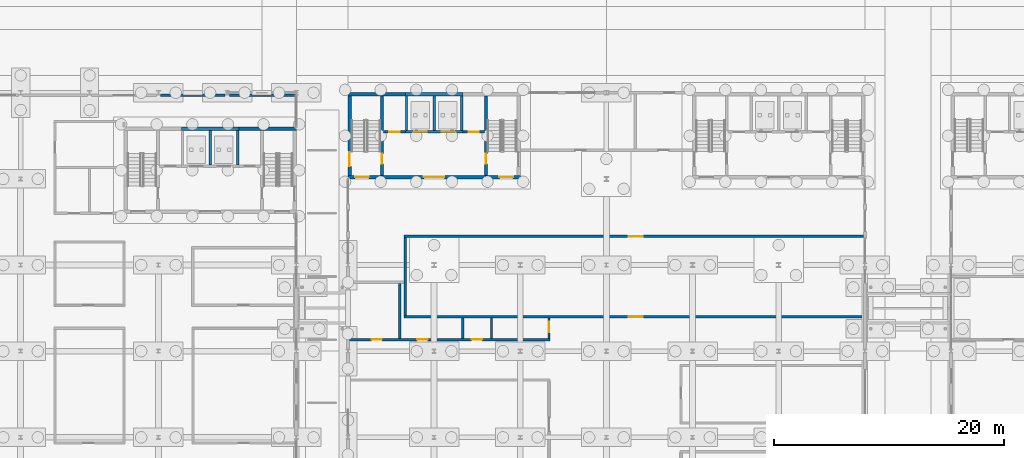
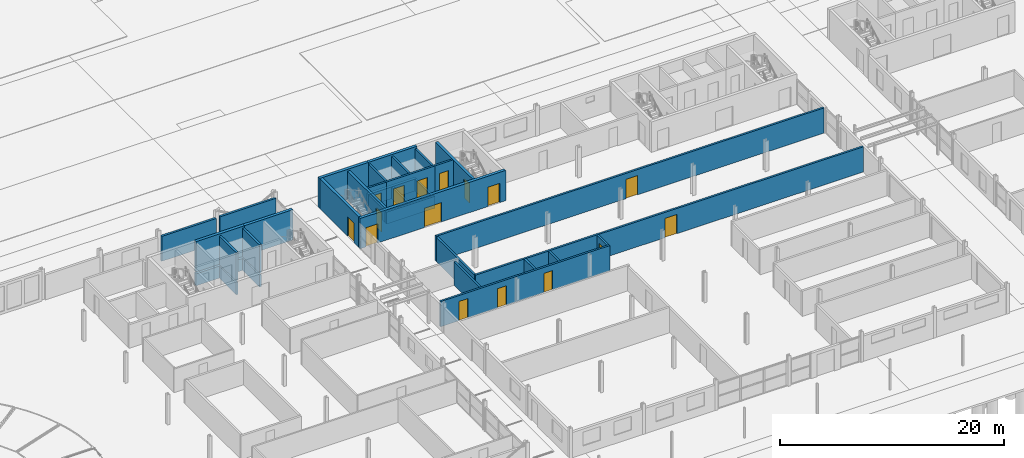
# One storey, part 82 of 130: 34 walls, 16 doors, 16 openings.
"""IFC4 building model written with IfcOpenShell, lengths in metres."""

from ifc_helpers import new_model, si_unit, direction, frame, frame_2d, origin, place, context, subcontext, project, spatial, rectangle, extrude, material, layer, layer_set, type_object, element, fill, save


model = new_model("IFC4")

# Units and contexts
model_context = context("Model", 3, precision=1e-05, world=origin(), true_north=direction((0.0, 1.0)))
body_context = subcontext(model_context, "Body", "Model", "MODEL_VIEW")
ifc_project = project(units=[si_unit("LENGTHUNIT", "METRE"), si_unit("AREAUNIT", "SQUARE_METRE"), si_unit("VOLUMEUNIT", "CUBIC_METRE"), si_unit("PLANEANGLEUNIT", "RADIAN"), si_unit("MASSUNIT", "GRAM", prefix="KILO")], contexts=[model_context])

# Site, building, storey
site_placement = place(None, origin())
site = spatial("IfcSite", under=ifc_project, at=site_placement, CompositionType="ELEMENT")
building_placement = place(site_placement, origin())
building = spatial("IfcBuilding", under=site, at=building_placement, Name="Parallax Yard Mobility Hub", CompositionType="ELEMENT")
storey_placement = place(building_placement, origin())
storey = spatial("IfcBuildingStorey", under=building, at=storey_placement, Name="L00", CompositionType="ELEMENT", Elevation=0.0)

# Wall, openings, doors
ifc_material_1 = material(Name="Concrete fc' 35 MPa", Category="concrete")
ifc_layer_1 = layer(ifc_material_1, 0.300048828125)
ifc_layer_set_1 = layer_set([ifc_layer_1], Name="Concrete fc' 35 MPa core wall 300")
wall_type_1 = type_object("IfcWallType", Name="Concrete fc' 35 MPa core wall 300", PredefinedType="SHEAR", material=ifc_layer_set_1)
wall_1_placement = place(storey_placement, frame((112.5, 45.14990234375, 0.0), z_axis=(0.0, 0.0, 1.0), x_axis=(-1.0, 0.0, 0.0)))
wall_1 = element("IfcWall", 1, at=wall_1_placement, inside=storey, type_object=wall_type_1, Name="Core C6-W entry wall level L00", PredefinedType="SHEAR", context=body_context, shape_type="SweptSolid", body=[
    extrude(rectangle(XDim=15.0, YDim=0.300048828125, at=frame_2d((7.5, 0.0))), origin(), (0.0, 0.0, 1.0), 3.300048828125),
])
opening_1_placement = place(wall_1_placement, frame((13.179931640625, 0.0, 0.0)))
opening_1 = element("IfcOpeningElement", 2, at=opening_1_placement, cuts=wall_1, Name="Opening L00-D743", PredefinedType="OPENING", context=body_context, shape_type="SweptSolid", body=[
    extrude(rectangle(XDim=1.199951171875, YDim=2.10009765625, at=frame_2d((0.60009765625, 1.050048828125))), frame((0.0, 0.16015625, 0.0), z_axis=(0.0, -1.0, 0.0), x_axis=(1.0, 0.0, 0.0)), (0.0, 0.0, 1.0), 0.320068359375),
])
opening_2_placement = place(wall_1_placement, frame((0.6201171875, 0.0, 0.0)))
opening_2 = element("IfcOpeningElement", 3, at=opening_2_placement, cuts=wall_1, Name="Opening L00-D744", PredefinedType="OPENING", context=body_context, shape_type="SweptSolid", body=[
    extrude(rectangle(XDim=1.199951171875, YDim=2.10009765625, at=frame_2d((0.60009765625, 1.050048828125))), frame((0.0, 0.16015625, 0.0), z_axis=(0.0, -1.0, 0.0), x_axis=(1.0, 0.0, 0.0)), (0.0, 0.0, 1.0), 0.320068359375),
])
opening_3_placement = place(wall_1_placement, frame((6.60009765625, 0.0, 0.0)))
opening_3 = element("IfcOpeningElement", 4, at=opening_3_placement, cuts=wall_1, Name="Opening L00-D745", PredefinedType="OPENING", context=body_context, shape_type="SweptSolid", body=[
    extrude(rectangle(XDim=1.800048828125, YDim=2.10009765625, at=frame_2d((0.89990234375, 1.050048828125))), frame((0.0, 0.16015625, 0.0), z_axis=(0.0, -1.0, 0.0), x_axis=(1.0, 0.0, 0.0)), (0.0, 0.0, 1.0), 0.320068359375),
])
ifc_material_2 = material(Name="Hollow metal steel door and frame", Category="steel")
door_type_1 = type_object("IfcDoorType", Name="Core door 1200 x 2100 FD90", OperationType="NOTDEFINED", PredefinedType="DOOR", material=ifc_material_2)
door_1_placement = place(opening_1_placement, origin())
door_1 = element("IfcDoor", 5, at=door_1_placement, inside=storey, type_object=door_type_1, Name="Stair deck door L00-D743, core C6-W level L00", OperationType="SINGLE_SWING_RIGHT", OverallHeight=2.10009765625, OverallWidth=1.199951171875, PredefinedType="DOOR", context=body_context, shape_type="SweptSolid", body=[
    extrude(rectangle(XDim=1.199951171875, YDim=2.10009765625, at=frame_2d((0.60009765625, 1.050048828125))), frame((0.0, 0.02490234375, 0.0), z_axis=(0.0, -1.0, 0.0), x_axis=(1.0, 0.0, 0.0)), (0.0, 0.0, 1.0), 0.050048828125),
])
fill(opening_1, door_1)
door_2_placement = place(opening_2_placement, origin())
door_2 = element("IfcDoor", 6, at=door_2_placement, inside=storey, type_object=door_type_1, Name="Stair deck door L00-D744, core C6-W level L00", OperationType="SINGLE_SWING_LEFT", OverallHeight=2.10009765625, OverallWidth=1.199951171875, PredefinedType="DOOR", context=body_context, shape_type="SweptSolid", body=[
    extrude(rectangle(XDim=1.199951171875, YDim=2.10009765625, at=frame_2d((0.60009765625, 1.050048828125))), frame((0.0, 0.02490234375, 0.0), z_axis=(0.0, -1.0, 0.0), x_axis=(1.0, 0.0, 0.0)), (0.0, 0.0, 1.0), 0.050048828125),
])
fill(opening_2, door_2)
door_type_2 = type_object("IfcDoorType", Name="Core double door 1800 x 2100 FD90", OperationType="NOTDEFINED", PredefinedType="DOOR", material=ifc_material_2)
door_3_placement = place(opening_3_placement, origin())
door_3 = element("IfcDoor", 7, at=door_3_placement, inside=storey, type_object=door_type_2, Name="Lift lobby door L00-D745, core C6-W level L00", OperationType="DOUBLE_DOOR_SINGLE_SWING", OverallHeight=2.10009765625, OverallWidth=1.800048828125, PredefinedType="DOOR", context=body_context, shape_type="SweptSolid", body=[
    extrude(rectangle(XDim=1.800048828125, YDim=2.10009765625, at=frame_2d((0.89990234375, 1.050048828125))), frame((0.0, 0.02490234375, 0.0), z_axis=(0.0, -1.0, 0.0), x_axis=(1.0, 0.0, 0.0)), (0.0, 0.0, 1.0), 0.050048828125),
])
fill(opening_3, door_3)

# Walls
for number, where, z_axis, x_axis, name in (
    (8, (97.5, 52.35009765625, 0.0), (0.0, 0.0, 1.0), (1.0, 0.0, 0.0), "Core C6-W back wall part 1 level L00"),
    (9, (102.5, 52.35009765625, 0.0), (0.0, 0.0, 1.0), (1.0, 0.0, 0.0), "Core C6-W back wall part 2 level L00"),
):
    element("IfcWall", number, at=place(storey_placement, frame(where, z_axis=z_axis, x_axis=x_axis)), inside=storey, type_object=wall_type_1, Name=name, PredefinedType="SHEAR", context=body_context, shape_type="SweptSolid", body=[
        extrude(rectangle(XDim=5.0, YDim=0.300048828125, at=frame_2d((2.5, 0.0))), origin(), (0.0, 0.0, 1.0), 3.300048828125),
    ])

# Wall, opening, door
wall_2_placement = place(storey_placement, frame((97.64990234375, 45.300048828125, 0.0), z_axis=(0.0, 0.0, 1.0), x_axis=(0.0, 1.0, 0.0)))
wall_2 = element("IfcWall", 10, at=wall_2_placement, inside=storey, type_object=wall_type_1, Name="Core C6-W west-side end wall level L00", PredefinedType="SHEAR", context=body_context, shape_type="SweptSolid", body=[
    extrude(rectangle(XDim=6.89990234375, YDim=0.300048828125, at=frame_2d((3.449951171875, 0.0))), origin(), (0.0, 0.0, 1.0), 3.300048828125),
])
opening_4_placement = place(wall_2_placement, frame((0.800048828125, 0.0, 0.0)))
opening_4 = element("IfcOpeningElement", 11, at=opening_4_placement, cuts=wall_2, Name="Opening L00-D752", PredefinedType="OPENING", context=body_context, shape_type="SweptSolid", body=[
    extrude(rectangle(XDim=1.199951171875, YDim=2.10009765625, at=frame_2d((0.60009765625, 1.050048828125))), frame((0.0, 0.16015625, 0.0), z_axis=(0.0, -1.0, 0.0), x_axis=(1.0, 0.0, 0.0)), (0.0, 0.0, 1.0), 0.320068359375),
])
door_4_placement = place(opening_4_placement, origin())
door_4 = element("IfcDoor", 12, at=door_4_placement, inside=storey, type_object=door_type_1, Name="Stair exit door L00-D752, core C6-W level L00", OperationType="SINGLE_SWING_RIGHT", OverallHeight=2.10009765625, OverallWidth=1.199951171875, PredefinedType="DOOR", context=body_context, shape_type="SweptSolid", body=[
    extrude(rectangle(XDim=1.199951171875, YDim=2.10009765625, at=frame_2d((0.60009765625, 1.050048828125))), frame((0.0, 0.02490234375, 0.0), z_axis=(0.0, -1.0, 0.0), x_axis=(1.0, 0.0, 0.0)), (0.0, 0.0, 1.0), 0.050048828125),
])
fill(opening_4, door_4)

# Walls
wall_3_placement = place(storey_placement, frame((102.5, 52.35009765625, -1.5), z_axis=(0.0, 0.0, 1.0), x_axis=(1.0, 0.0, 0.0)))
element("IfcWall", 13, at=wall_3_placement, inside=storey, type_object=wall_type_1, Name="Core C6-W lift pit wall back (shaft group 1)", PredefinedType="SHEAR", context=body_context, shape_type="SweptSolid", body=[
    extrude(rectangle(XDim=5.0, YDim=0.300048828125, at=frame_2d((2.5, 0.0))), origin(), (0.0, 0.0, 1.0), 1.300048828125),
])
for number, where, z_axis, x_axis, name in (
    (14, (83.0, 49.35009765625, 0.0), (0.0, 0.0, 1.0), (1.0, 0.0, 0.0), "Core C1 back wall part 2 level L00"),
    (15, (88.0, 49.35009765625, 0.0), (0.0, 0.0, 1.0), (1.0, 0.0, 0.0), "Core C1 back wall part 3 level L00"),
):
    element("IfcWall", number, at=place(storey_placement, frame(where, z_axis=z_axis, x_axis=x_axis)), inside=storey, type_object=wall_type_1, Name=name, PredefinedType="SHEAR", context=body_context, shape_type="SweptSolid", body=[
        extrude(rectangle(XDim=5.0, YDim=0.300048828125, at=frame_2d((2.5, 0.0))), origin(), (0.0, 0.0, 1.0), 3.300048828125),
    ])
wall_4_placement = place(storey_placement, frame((83.0, 49.35009765625, -1.5), z_axis=(0.0, 0.0, 1.0), x_axis=(1.0, 0.0, 0.0)))
element("IfcWall", 16, at=wall_4_placement, inside=storey, type_object=wall_type_1, Name="Core C1 lift pit wall back (shaft group 1)", PredefinedType="SHEAR", context=body_context, shape_type="SweptSolid", body=[
    extrude(rectangle(XDim=5.0, YDim=0.300048828125, at=frame_2d((2.5, 0.0))), origin(), (0.0, 0.0, 1.0), 1.300048828125),
])

# Wall, opening, door
ifc_layer_2 = layer(ifc_material_1, 0.199951171875)
ifc_layer_set_2 = layer_set([ifc_layer_2], Name="Concrete fc' 35 MPa internal core wall 200")
wall_type_2 = type_object("IfcWallType", Name="Concrete fc' 35 MPa internal core wall 200", PredefinedType="STANDARD", material=ifc_layer_set_2)
wall_5_placement = place(storey_placement, frame((102.5, 49.10009765625, 0.0), z_axis=(0.0, 0.0, 1.0), x_axis=(-1.0, 0.0, 0.0)))
wall_5 = element("IfcWall", 17, at=wall_5_placement, inside=storey, type_object=wall_type_2, Name="Core C6-W lift front 1 part 1 level L00", PredefinedType="STANDARD", context=body_context, shape_type="SweptSolid", body=[
    extrude(rectangle(XDim=1.89990234375, YDim=0.199951171875, at=frame_2d((0.949951171875, 0.0))), origin(), (0.0, 0.0, 1.0), 3.10009765625),
])
opening_5_placement = place(wall_5_placement, frame((0.5, 0.0, 0.0)))
opening_5 = element("IfcOpeningElement", 18, at=opening_5_placement, cuts=wall_5, Name="Opening L00-D750", PredefinedType="OPENING", context=body_context, shape_type="SweptSolid", body=[
    extrude(rectangle(XDim=0.89990234375, YDim=2.10009765625, at=frame_2d((0.449951171875, 1.050048828125))), frame((0.0, 0.10986328125, 0.0), z_axis=(0.0, -1.0, 0.0), x_axis=(1.0, 0.0, 0.0)), (0.0, 0.0, 1.0), 0.219970703125),
])
door_type_3 = type_object("IfcDoorType", Name="Riser door 900 x 2100 FD90", OperationType="NOTDEFINED", PredefinedType="DOOR", material=ifc_material_2)
door_5_placement = place(opening_5_placement, origin())
door_5 = element("IfcDoor", 19, at=door_5_placement, inside=storey, type_object=door_type_3, Name="Riser door L00-D750, core C6-W level L00", OperationType="SINGLE_SWING_RIGHT", OverallHeight=2.10009765625, OverallWidth=0.89990234375, PredefinedType="DOOR", context=body_context, shape_type="SweptSolid", body=[
    extrude(rectangle(XDim=0.89990234375, YDim=2.10009765625, at=frame_2d((0.449951171875, 1.050048828125))), frame((0.0, 0.02490234375, 0.0), z_axis=(0.0, -1.0, 0.0), x_axis=(1.0, 0.0, 0.0)), (0.0, 0.0, 1.0), 0.050048828125),
])
fill(opening_5, door_5)

# Wall, openings, doors
wall_6_placement = place(storey_placement, frame((102.5, 49.10009765625, 0.0), z_axis=(0.0, 0.0, 1.0), x_axis=(1.0, 0.0, 0.0)))
wall_6 = element("IfcWall", 20, at=wall_6_placement, inside=storey, type_object=wall_type_2, Name="Core C6-W lift front 2 part 2 level L00", PredefinedType="STANDARD", context=body_context, shape_type="SweptSolid", body=[
    extrude(rectangle(XDim=5.0, YDim=0.199951171875, at=frame_2d((2.5, 0.0))), origin(), (0.0, 0.0, 1.0), 3.10009765625),
])
opening_6_placement = place(wall_6_placement, frame((0.75, 0.0, 0.0)))
opening_6 = element("IfcOpeningElement", 21, at=opening_6_placement, cuts=wall_6, Name="Opening L00-D748", PredefinedType="OPENING", context=body_context, shape_type="SweptSolid", body=[
    extrude(rectangle(XDim=1.10009765625, YDim=2.10009765625, at=frame_2d((0.550048828125, 1.050048828125))), frame((0.0, 0.10986328125, 0.0), z_axis=(0.0, -1.0, 0.0), x_axis=(1.0, 0.0, 0.0)), (0.0, 0.0, 1.0), 0.219970703125),
])
opening_7_placement = place(wall_6_placement, frame((3.14990234375, 0.0, 0.0)))
opening_7 = element("IfcOpeningElement", 22, at=opening_7_placement, cuts=wall_6, Name="Opening L00-D749", PredefinedType="OPENING", context=body_context, shape_type="SweptSolid", body=[
    extrude(rectangle(XDim=1.10009765625, YDim=2.10009765625, at=frame_2d((0.550048828125, 1.050048828125))), frame((0.0, 0.10986328125, 0.0), z_axis=(0.0, -1.0, 0.0), x_axis=(1.0, 0.0, 0.0)), (0.0, 0.0, 1.0), 0.219970703125),
])
ifc_material_3 = material(Name="Stainless steel sliding door and frame", Category="steel")
door_type_4 = type_object("IfcDoorType", Name="Lift landing door 1100 x 2100 FD90", OperationType="DOUBLE_DOOR_SLIDING", PredefinedType="DOOR", material=ifc_material_3)
door_6_placement = place(opening_6_placement, origin())
door_6 = element("IfcDoor", 23, at=door_6_placement, inside=storey, type_object=door_type_4, Name="Lift landing door L00-D748, core C6-W level L00", OperationType="DOUBLE_DOOR_SLIDING", OverallHeight=2.10009765625, OverallWidth=1.10009765625, PredefinedType="DOOR", context=body_context, shape_type="SweptSolid", body=[
    extrude(rectangle(XDim=1.10009765625, YDim=2.10009765625, at=frame_2d((0.550048828125, 1.050048828125))), frame((0.0, 0.02490234375, 0.0), z_axis=(0.0, -1.0, 0.0), x_axis=(1.0, 0.0, 0.0)), (0.0, 0.0, 1.0), 0.050048828125),
])
fill(opening_6, door_6)
door_7_placement = place(opening_7_placement, origin())
door_7 = element("IfcDoor", 24, at=door_7_placement, inside=storey, type_object=door_type_4, Name="Lift landing door L00-D749, core C6-W level L00", OperationType="DOUBLE_DOOR_SLIDING", OverallHeight=2.10009765625, OverallWidth=1.10009765625, PredefinedType="DOOR", context=body_context, shape_type="SweptSolid", body=[
    extrude(rectangle(XDim=1.10009765625, YDim=2.10009765625, at=frame_2d((0.550048828125, 1.050048828125))), frame((0.0, 0.02490234375, 0.0), z_axis=(0.0, -1.0, 0.0), x_axis=(1.0, 0.0, 0.0)), (0.0, 0.0, 1.0), 0.050048828125),
])
fill(opening_7, door_7)

# Wall, opening, door
wall_7_placement = place(storey_placement, frame((109.39990234375, 49.10009765625, 0.0), z_axis=(0.0, 0.0, 1.0), x_axis=(-1.0, 0.0, 0.0)))
wall_7 = element("IfcWall", 25, at=wall_7_placement, inside=storey, type_object=wall_type_2, Name="Core C6-W lift front 3 part 3 level L00", PredefinedType="STANDARD", context=body_context, shape_type="SweptSolid", body=[
    extrude(rectangle(XDim=1.89990234375, YDim=0.199951171875, at=frame_2d((0.949951171875, 0.0))), origin(), (0.0, 0.0, 1.0), 3.10009765625),
])
opening_8_placement = place(wall_7_placement, frame((0.5, 0.0, 0.0)))
opening_8 = element("IfcOpeningElement", 26, at=opening_8_placement, cuts=wall_7, Name="Opening L00-D751", PredefinedType="OPENING", context=body_context, shape_type="SweptSolid", body=[
    extrude(rectangle(XDim=0.89990234375, YDim=2.10009765625, at=frame_2d((0.449951171875, 1.050048828125))), frame((0.0, 0.10986328125, 0.0), z_axis=(0.0, -1.0, 0.0), x_axis=(1.0, 0.0, 0.0)), (0.0, 0.0, 1.0), 0.219970703125),
])
door_8_placement = place(opening_8_placement, origin())
door_8 = element("IfcDoor", 27, at=door_8_placement, inside=storey, type_object=door_type_3, Name="Riser door L00-D751, core C6-W level L00", OperationType="SINGLE_SWING_LEFT", OverallHeight=2.10009765625, OverallWidth=0.89990234375, PredefinedType="DOOR", context=body_context, shape_type="SweptSolid", body=[
    extrude(rectangle(XDim=0.89990234375, YDim=2.10009765625, at=frame_2d((0.449951171875, 1.050048828125))), frame((0.0, 0.02490234375, 0.0), z_axis=(0.0, -1.0, 0.0), x_axis=(1.0, 0.0, 0.0)), (0.0, 0.0, 1.0), 0.050048828125),
])
fill(opening_8, door_8)

# Walls
for number, where, z_axis, x_axis, name in (
    (28, (102.60009765625, 49.199951171875, 0.0), (0.0, 0.0, 1.0), (0.0, 1.0, 0.0), "Core C6-W lift wall 1 part 1 level L00"),
    (29, (105.0, 49.199951171875, 0.0), (0.0, 0.0, 1.0), (0.0, 1.0, 0.0), "Core C6-W lift wall 2 part 2 level L00"),
    (30, (107.39990234375, 49.199951171875, 0.0), (0.0, 0.0, 1.0), (0.0, 1.0, 0.0), "Core C6-W lift wall 3 part 3 level L00"),
):
    element("IfcWall", number, at=place(storey_placement, frame(where, z_axis=z_axis, x_axis=x_axis)), inside=storey, type_object=wall_type_2, Name=name, PredefinedType="STANDARD", context=body_context, shape_type="SweptSolid", body=[
        extrude(rectangle(XDim=3.0, YDim=0.199951171875, at=frame_2d((1.5, 0.0))), origin(), (0.0, 0.0, 1.0), 3.10009765625),
    ])
wall_8_placement = place(storey_placement, frame((102.5, 49.10009765625, -1.5), z_axis=(0.0, 0.0, 1.0), x_axis=(1.0, 0.0, 0.0)))
element("IfcWall", 31, at=wall_8_placement, inside=storey, type_object=wall_type_2, Name="Core C6-W lift pit wall front (shaft group 1)", PredefinedType="STANDARD", context=body_context, shape_type="SweptSolid", body=[
    extrude(rectangle(XDim=5.0, YDim=0.199951171875, at=frame_2d((2.5, 0.0))), origin(), (0.0, 0.0, 1.0), 1.300048828125),
])
for number, where, z_axis, x_axis, name in (
    (32, (102.60009765625, 49.199951171875, -1.5), (0.0, 0.0, 1.0), (0.0, 1.0, 0.0), "Core C6-W lift pit wall side 1 (shaft group 1)"),
    (33, (105.0, 49.199951171875, -1.5), (0.0, 0.0, 1.0), (0.0, 1.0, 0.0), "Core C6-W lift pit wall side 2 (shaft group 1)"),
    (34, (107.39990234375, 49.199951171875, -1.5), (0.0, 0.0, 1.0), (0.0, 1.0, 0.0), "Core C6-W lift pit wall side 3 (shaft group 1)"),
):
    element("IfcWall", number, at=place(storey_placement, frame(where, z_axis=z_axis, x_axis=x_axis)), inside=storey, type_object=wall_type_2, Name=name, PredefinedType="STANDARD", context=body_context, shape_type="SweptSolid", body=[
        extrude(rectangle(XDim=3.0, YDim=0.199951171875, at=frame_2d((1.5, 0.0))), origin(), (0.0, 0.0, 1.0), 1.300048828125),
    ])
for number, where, z_axis, x_axis, name in (
    (35, (85.5, 46.199951171875, 0.0), (0.0, 0.0, 1.0), (0.0, 1.0, 0.0), "Core C1 lift wall 2 part 2 level L00"),
    (36, (87.89990234375, 46.199951171875, 0.0), (0.0, 0.0, 1.0), (0.0, 1.0, 0.0), "Core C1 lift wall 3 part 3 level L00"),
):
    element("IfcWall", number, at=place(storey_placement, frame(where, z_axis=z_axis, x_axis=x_axis)), inside=storey, type_object=wall_type_2, Name=name, PredefinedType="STANDARD", context=body_context, shape_type="SweptSolid", body=[
        extrude(rectangle(XDim=3.0, YDim=0.199951171875, at=frame_2d((1.5, 0.0))), origin(), (0.0, 0.0, 1.0), 3.10009765625),
    ])
for number, where, z_axis, x_axis, name in (
    (37, (85.5, 46.199951171875, -1.5), (0.0, 0.0, 1.0), (0.0, 1.0, 0.0), "Core C1 lift pit wall side 2 (shaft group 1)"),
    (38, (87.89990234375, 46.199951171875, -1.5), (0.0, 0.0, 1.0), (0.0, 1.0, 0.0), "Core C1 lift pit wall side 3 (shaft group 1)"),
):
    element("IfcWall", number, at=place(storey_placement, frame(where, z_axis=z_axis, x_axis=x_axis)), inside=storey, type_object=wall_type_2, Name=name, PredefinedType="STANDARD", context=body_context, shape_type="SweptSolid", body=[
        extrude(rectangle(XDim=3.0, YDim=0.199951171875, at=frame_2d((1.5, 0.0))), origin(), (0.0, 0.0, 1.0), 1.300048828125),
    ])

# Wall, opening, door
ifc_layer_3 = layer(ifc_material_1, 0.25)
ifc_layer_set_3 = layer_set([ifc_layer_3], Name="Concrete fc' 35 MPa stair enclosure wall 250")
wall_type_3 = type_object("IfcWallType", Name="Concrete fc' 35 MPa stair enclosure wall 250", PredefinedType="STANDARD", material=ifc_layer_set_3)
wall_9_placement = place(storey_placement, frame((100.47509765625, 45.300048828125, 0.0), z_axis=(0.0, 0.0, 1.0), x_axis=(0.0, 1.0, 0.0)))
wall_9 = element("IfcWall", 39, at=wall_9_placement, inside=storey, type_object=wall_type_3, Name="Core C6-W stair 1 partition level L00", PredefinedType="STANDARD", context=body_context, shape_type="SweptSolid", body=[
    extrude(rectangle(XDim=6.89990234375, YDim=0.25, at=frame_2d((3.449951171875, 0.0))), origin(), (0.0, 0.0, 1.0), 3.10009765625),
])
opening_9_placement = place(wall_9_placement, frame((1.0, 0.0, 0.0)))
opening_9 = element("IfcOpeningElement", 40, at=opening_9_placement, cuts=wall_9, Name="Opening L00-D746", PredefinedType="OPENING", context=body_context, shape_type="SweptSolid", body=[
    extrude(rectangle(XDim=0.89990234375, YDim=2.10009765625, at=frame_2d((0.449951171875, 1.050048828125))), frame((0.0, 0.135009765625, 0.0), z_axis=(0.0, -1.0, 0.0), x_axis=(1.0, 0.0, 0.0)), (0.0, 0.0, 1.0), 0.27001953125),
])
door_type_5 = type_object("IfcDoorType", Name="Core door 900 x 2100 FD90", OperationType="NOTDEFINED", PredefinedType="DOOR", material=ifc_material_2)
door_9_placement = place(opening_9_placement, origin())
door_9 = element("IfcDoor", 41, at=door_9_placement, inside=storey, type_object=door_type_5, Name="Stair lobby door L00-D746, core C6-W level L00", OperationType="SINGLE_SWING_LEFT", OverallHeight=2.10009765625, OverallWidth=0.89990234375, PredefinedType="DOOR", context=body_context, shape_type="SweptSolid", body=[
    extrude(rectangle(XDim=0.89990234375, YDim=2.10009765625, at=frame_2d((0.449951171875, 1.050048828125))), frame((0.0, 0.02490234375, 0.0), z_axis=(0.0, -1.0, 0.0), x_axis=(1.0, 0.0, 0.0)), (0.0, 0.0, 1.0), 0.050048828125),
])
fill(opening_9, door_9)

wall_10_placement = place(storey_placement, frame((109.52490234375, 52.199951171875, 0.0), z_axis=(0.0, 0.0, 1.0), x_axis=(0.0, -1.0, 0.0)))
wall_10 = element("IfcWall", 42, at=wall_10_placement, inside=storey, type_object=wall_type_3, Name="Core C6-W stair 2 partition level L00", PredefinedType="STANDARD", context=body_context, shape_type="SweptSolid", body=[
    extrude(rectangle(XDim=6.89990234375, YDim=0.25, at=frame_2d((3.449951171875, 0.0))), origin(), (0.0, 0.0, 1.0), 3.10009765625),
])
opening_10_placement = place(wall_10_placement, frame((5.0, 0.0, 0.0)))
opening_10 = element("IfcOpeningElement", 43, at=opening_10_placement, cuts=wall_10, Name="Opening L00-D747", PredefinedType="OPENING", context=body_context, shape_type="SweptSolid", body=[
    extrude(rectangle(XDim=0.89990234375, YDim=2.10009765625, at=frame_2d((0.449951171875, 1.050048828125))), frame((0.0, 0.135009765625, 0.0), z_axis=(0.0, -1.0, 0.0), x_axis=(1.0, 0.0, 0.0)), (0.0, 0.0, 1.0), 0.27001953125),
])
door_10_placement = place(opening_10_placement, origin())
door_10 = element("IfcDoor", 44, at=door_10_placement, inside=storey, type_object=door_type_5, Name="Stair lobby door L00-D747, core C6-W level L00", OperationType="SINGLE_SWING_RIGHT", OverallHeight=2.10009765625, OverallWidth=0.89990234375, PredefinedType="DOOR", context=body_context, shape_type="SweptSolid", body=[
    extrude(rectangle(XDim=0.89990234375, YDim=2.10009765625, at=frame_2d((0.449951171875, 1.050048828125))), frame((0.0, 0.02490234375, 0.0), z_axis=(0.0, -1.0, 0.0), x_axis=(1.0, 0.0, 0.0)), (0.0, 0.0, 1.0), 0.050048828125),
])
fill(opening_10, door_10)

# Wall, openings, doors
ifc_material_4 = material(Name="Fire-rated plasterboard partition, two layers each side")
ifc_layer_4 = layer(ifc_material_4, 0.199951171875)
ifc_layer_set_4 = layer_set([ifc_layer_4], Name="Fire-rated partition 200 mm")
wall_type_4 = type_object("IfcWallType", Name="Fire-rated partition 200 mm", PredefinedType="PARTITIONING", material=ifc_layer_set_4)
wall_11_placement = place(storey_placement, frame((97.625, 31.0, 0.0), z_axis=(0.0, 0.0, 1.0), x_axis=(1.0, 0.0, 0.0)))
wall_11 = element("IfcWall", 45, at=wall_11_placement, inside=storey, type_object=wall_type_4, Name="Partition 16 level L00", PredefinedType="PARTITIONING", context=body_context, shape_type="SweptSolid", body=[
    extrude(rectangle(XDim=17.47509765625, YDim=0.199951171875, at=frame_2d((8.737548828125, 0.0))), origin(), (0.0, 0.0, 1.0), 2.7509765625),
])
opening_11_placement = place(wall_11_placement, frame((1.925048828125, 0.0, 0.0)))
opening_11 = element("IfcOpeningElement", 46, at=opening_11_placement, cuts=wall_11, Name="Opening L00-D212", PredefinedType="OPENING", context=body_context, shape_type="SweptSolid", body=[
    extrude(rectangle(XDim=0.89990234375, YDim=2.10009765625, at=frame_2d((0.449951171875, 1.050048828125))), frame((0.0, 0.10986328125, 0.0), z_axis=(0.0, -1.0, 0.0), x_axis=(1.0, 0.0, 0.0)), (0.0, 0.0, 1.0), 0.219970703125),
])
opening_12_placement = place(wall_11_placement, frame((5.900146484375, 0.0, 0.0)))
opening_12 = element("IfcOpeningElement", 47, at=opening_12_placement, cuts=wall_11, Name="Opening L00-D213", PredefinedType="OPENING", context=body_context, shape_type="SweptSolid", body=[
    extrude(rectangle(XDim=0.89990234375, YDim=2.10009765625, at=frame_2d((0.449951171875, 1.050048828125))), frame((0.0, 0.10986328125, 0.0), z_axis=(0.0, -1.0, 0.0), x_axis=(1.0, 0.0, 0.0)), (0.0, 0.0, 1.0), 0.219970703125),
])
opening_13_placement = place(wall_11_placement, frame((10.650146484375, 0.0, 0.0)))
opening_13 = element("IfcOpeningElement", 48, at=opening_13_placement, cuts=wall_11, Name="Opening L00-D214", PredefinedType="OPENING", context=body_context, shape_type="SweptSolid", body=[
    extrude(rectangle(XDim=0.89990234375, YDim=2.10009765625, at=frame_2d((0.449951171875, 1.050048828125))), frame((0.0, 0.10986328125, 0.0), z_axis=(0.0, -1.0, 0.0), x_axis=(1.0, 0.0, 0.0)), (0.0, 0.0, 1.0), 0.219970703125),
])
ifc_material_5 = material(Name="Hollow metal fire door leaf with intumescent seals")
door_type_6 = type_object("IfcDoorType", Name="Fire door 900 mm FD60", OperationType="NOTDEFINED", PredefinedType="DOOR", material=ifc_material_5)
door_11_placement = place(opening_11_placement, origin())
door_11 = element("IfcDoor", 49, at=door_11_placement, inside=storey, type_object=door_type_6, Name="Door L00-D212 Men's WC", OperationType="SINGLE_SWING_LEFT", OverallHeight=2.10009765625, OverallWidth=0.89990234375, PredefinedType="DOOR", context=body_context, shape_type="SweptSolid", body=[
    extrude(rectangle(XDim=0.89990234375, YDim=2.10009765625, at=frame_2d((0.449951171875, 1.050048828125))), frame((0.0, 0.02490234375, 0.0), z_axis=(0.0, -1.0, 0.0), x_axis=(1.0, 0.0, 0.0)), (0.0, 0.0, 1.0), 0.050048828125),
])
fill(opening_11, door_11)
door_12_placement = place(opening_12_placement, origin())
door_12 = element("IfcDoor", 50, at=door_12_placement, inside=storey, type_object=door_type_6, Name="Door L00-D213 Women's WC", OperationType="SINGLE_SWING_LEFT", OverallHeight=2.10009765625, OverallWidth=0.89990234375, PredefinedType="DOOR", context=body_context, shape_type="SweptSolid", body=[
    extrude(rectangle(XDim=0.89990234375, YDim=2.10009765625, at=frame_2d((0.449951171875, 1.050048828125))), frame((0.0, 0.02490234375, 0.0), z_axis=(0.0, -1.0, 0.0), x_axis=(1.0, 0.0, 0.0)), (0.0, 0.0, 1.0), 0.050048828125),
])
fill(opening_12, door_12)
door_13_placement = place(opening_13_placement, origin())
door_13 = element("IfcDoor", 51, at=door_13_placement, inside=storey, type_object=door_type_6, Name="Door L00-D214 Accessible WC", OperationType="SINGLE_SWING_RIGHT", OverallHeight=2.10009765625, OverallWidth=0.89990234375, PredefinedType="DOOR", context=body_context, shape_type="SweptSolid", body=[
    extrude(rectangle(XDim=0.89990234375, YDim=2.10009765625, at=frame_2d((0.449951171875, 1.050048828125))), frame((0.0, 0.02490234375, 0.0), z_axis=(0.0, -1.0, 0.0), x_axis=(1.0, 0.0, 0.0)), (0.0, 0.0, 1.0), 0.050048828125),
])
fill(opening_13, door_13)

# Wall, opening, door
wall_12_placement = place(storey_placement, frame((102.39990234375, 33.0, 0.0), z_axis=(0.0, 0.0, 1.0), x_axis=(1.0, 0.0, 0.0)))
wall_12 = element("IfcWall", 52, at=wall_12_placement, inside=storey, type_object=wall_type_4, Name="Partition 21 level L00", PredefinedType="PARTITIONING", context=body_context, shape_type="SweptSolid", body=[
    extrude(rectangle(XDim=39.97509765625, YDim=0.199951171875, at=frame_2d((19.987548828125, 0.0))), origin(), (0.0, 0.0, 1.0), 2.7509765625),
])
opening_14_placement = place(wall_12_placement, frame((19.550048828125, 0.0, 0.0)))
opening_14 = element("IfcOpeningElement", 53, at=opening_14_placement, cuts=wall_12, Name="Opening L00-D218", PredefinedType="OPENING", context=body_context, shape_type="SweptSolid", body=[
    extrude(rectangle(XDim=1.199951171875, YDim=2.10009765625, at=frame_2d((0.60009765625, 1.050048828125))), frame((0.0, 0.10986328125, 0.0), z_axis=(0.0, -1.0, 0.0), x_axis=(1.0, 0.0, 0.0)), (0.0, 0.0, 1.0), 0.219970703125),
])
door_type_7 = type_object("IfcDoorType", Name="Fire door 1200 mm FD60", OperationType="DOUBLE_DOOR_SINGLE_SWING", PredefinedType="DOOR", material=ifc_material_5)
door_14_placement = place(opening_14_placement, origin())
door_14 = element("IfcDoor", 54, at=door_14_placement, inside=storey, type_object=door_type_7, Name="Door L00-D218 EV and Cycle Workshop", OperationType="DOUBLE_DOOR_SINGLE_SWING", OverallHeight=2.10009765625, OverallWidth=1.199951171875, PredefinedType="DOOR", context=body_context, shape_type="SweptSolid", body=[
    extrude(rectangle(XDim=1.199951171875, YDim=2.10009765625, at=frame_2d((0.60009765625, 1.050048828125))), frame((0.0, 0.02490234375, 0.0), z_axis=(0.0, -1.0, 0.0), x_axis=(1.0, 0.0, 0.0)), (0.0, 0.0, 1.0), 0.050048828125),
])
fill(opening_14, door_14)

wall_13_placement = place(storey_placement, frame((102.39990234375, 40.0, 0.0), z_axis=(0.0, 0.0, 1.0), x_axis=(1.0, 0.0, 0.0)))
wall_13 = element("IfcWall", 55, at=wall_13_placement, inside=storey, type_object=wall_type_4, Name="Partition 29 level L00", PredefinedType="PARTITIONING", context=body_context, shape_type="SweptSolid", body=[
    extrude(rectangle(XDim=39.97509765625, YDim=0.199951171875, at=frame_2d((19.987548828125, 0.0))), origin(), (0.0, 0.0, 1.0), 2.7509765625),
])
opening_15_placement = place(wall_13_placement, frame((19.550048828125, 0.0, 0.0)))
opening_15 = element("IfcOpeningElement", 56, at=opening_15_placement, cuts=wall_13, Name="Opening L00-D222", PredefinedType="OPENING", context=body_context, shape_type="SweptSolid", body=[
    extrude(rectangle(XDim=1.199951171875, YDim=2.10009765625, at=frame_2d((0.60009765625, 1.050048828125))), frame((0.0, 0.10986328125, 0.0), z_axis=(0.0, -1.0, 0.0), x_axis=(1.0, 0.0, 0.0)), (0.0, 0.0, 1.0), 0.219970703125),
])
door_15_placement = place(opening_15_placement, origin())
door_15 = element("IfcDoor", 57, at=door_15_placement, inside=storey, type_object=door_type_7, Name="Door L00-D222 EV and Cycle Workshop", OperationType="DOUBLE_DOOR_SINGLE_SWING", OverallHeight=2.10009765625, OverallWidth=1.199951171875, PredefinedType="DOOR", context=body_context, shape_type="SweptSolid", body=[
    extrude(rectangle(XDim=1.199951171875, YDim=2.10009765625, at=frame_2d((0.60009765625, 1.050048828125))), frame((0.0, 0.02490234375, 0.0), z_axis=(0.0, -1.0, 0.0), x_axis=(1.0, 0.0, 0.0)), (0.0, 0.0, 1.0), 0.050048828125),
])
fill(opening_15, door_15)

# Walls
wall_14_placement = place(storey_placement, frame((102.0, 31.10009765625, 0.0), z_axis=(0.0, 0.0, 1.0), x_axis=(0.0, 1.0, 0.0)))
element("IfcWall", 58, at=wall_14_placement, inside=storey, type_object=wall_type_4, Name="Partition 89 level L00", PredefinedType="PARTITIONING", context=body_context, shape_type="SweptSolid", body=[
    extrude(rectangle(XDim=4.7998046875, YDim=0.199951171875, at=frame_2d((2.39990234375, 0.0))), origin(), (0.0, 0.0, 1.0), 2.56005859375),
])
wall_15_placement = place(storey_placement, frame((102.5, 33.10009765625, 0.0), z_axis=(0.0, 0.0, 1.0), x_axis=(0.0, 1.0, 0.0)))
element("IfcWall", 59, at=wall_15_placement, inside=storey, type_object=wall_type_4, Name="Partition 90 level L00", PredefinedType="PARTITIONING", context=body_context, shape_type="SweptSolid", body=[
    extrude(rectangle(XDim=6.7998046875, YDim=0.199951171875, at=frame_2d((3.39990234375, 0.0))), origin(), (0.0, 0.0, 1.0), 2.626953125),
])
for number, where, z_axis, x_axis, name in (
    (60, (107.5, 31.10009765625, 0.0), (0.0, 0.0, 1.0), (0.0, 1.0, 0.0), "Partition 91 level L00"),
    (61, (110.0, 31.10009765625, 0.0), (0.0, 0.0, 1.0), (0.0, 1.0, 0.0), "Partition 92 level L00"),
):
    element("IfcWall", number, at=place(storey_placement, frame(where, z_axis=z_axis, x_axis=x_axis)), inside=storey, type_object=wall_type_4, Name=name, PredefinedType="PARTITIONING", context=body_context, shape_type="SweptSolid", body=[
        extrude(rectangle(XDim=1.7998046875, YDim=0.199951171875, at=frame_2d((0.89990234375, 0.0))), origin(), (0.0, 0.0, 1.0), 2.75390625),
    ])

# Wall, opening, door
wall_16_placement = place(storey_placement, frame((115.0, 31.10009765625, 0.0), z_axis=(0.0, 0.0, 1.0), x_axis=(0.0, 1.0, 0.0)))
wall_16 = element("IfcWall", 62, at=wall_16_placement, inside=storey, type_object=wall_type_4, Name="Partition 96 level L00", PredefinedType="PARTITIONING", context=body_context, shape_type="SweptSolid", body=[
    extrude(rectangle(XDim=1.7998046875, YDim=0.199951171875, at=frame_2d((0.89990234375, 0.0))), origin(), (0.0, 0.0, 1.0), 2.75390625),
])
opening_16_placement = place(wall_16_placement, frame((0.550048828125, 0.0, 0.0)))
opening_16 = element("IfcOpeningElement", 63, at=opening_16_placement, cuts=wall_16, Name="Opening L00-D217", PredefinedType="OPENING", context=body_context, shape_type="SweptSolid", body=[
    extrude(rectangle(XDim=0.89990234375, YDim=2.10009765625, at=frame_2d((0.449951171875, 1.050048828125))), frame((0.0, 0.10986328125, 0.0), z_axis=(0.0, -1.0, 0.0), x_axis=(1.0, 0.0, 0.0)), (0.0, 0.0, 1.0), 0.219970703125),
])
door_16_placement = place(opening_16_placement, origin())
door_16 = element("IfcDoor", 64, at=door_16_placement, inside=storey, type_object=door_type_6, Name="Door L00-D217 Cleaners Store", OperationType="SINGLE_SWING_RIGHT", OverallHeight=2.10009765625, OverallWidth=0.89990234375, PredefinedType="DOOR", context=body_context, shape_type="SweptSolid", body=[
    extrude(rectangle(XDim=0.89990234375, YDim=2.10009765625, at=frame_2d((0.449951171875, 1.050048828125))), frame((0.0, 0.02490234375, 0.0), z_axis=(0.0, -1.0, 0.0), x_axis=(1.0, 0.0, 0.0)), (0.0, 0.0, 1.0), 0.050048828125),
])
fill(opening_16, door_16)

# Walls
ifc_layer_5 = layer(ifc_material_1, 0.219970703125)
ifc_layer_set_5 = layer_set([ifc_layer_5], Name="Gable panel, Concrete fc' 35 MPa precast, 220")
wall_type_5 = type_object("IfcWallType", Name="Gable panel, Concrete fc' 35 MPa precast, 220", PredefinedType="SOLIDWALL", material=ifc_layer_set_5)
wall_17_placement = place(storey_placement, frame((81.1865234375, 52.27587890625, 0.0), z_axis=(0.0, 0.0, 1.0), x_axis=(1.0, 0.0, 0.0)))
element("IfcWall", 65, at=wall_17_placement, inside=storey, type_object=wall_type_5, Name="Bus and taxi deck north gable wall bay 13 level L00", PredefinedType="SOLIDWALL", context=body_context, shape_type="SweptSolid", body=[
    extrude(rectangle(XDim=5.626953125, YDim=0.219970703125, at=frame_2d((2.8134765625, 0.0))), origin(), (0.0, 0.0, 1.0), 2.7099609375),
])
wall_18_placement = place(storey_placement, frame((87.1865234375, 52.27099609375, 0.0), z_axis=(0.0, 0.0, 1.0), x_axis=(1.0, 0.0, 0.0)))
element("IfcWall", 66, at=wall_18_placement, inside=storey, type_object=wall_type_5, Name="Bus and taxi deck north gable wall bay 14 level L00", PredefinedType="SOLIDWALL", context=body_context, shape_type="SweptSolid", body=[
    extrude(rectangle(XDim=5.783447265625, YDim=0.219970703125, at=frame_2d((2.8916015625, 0.0))), origin(), (0.0, 0.0, 1.0), 2.75390625),
])

save(model, "model.ifc")
